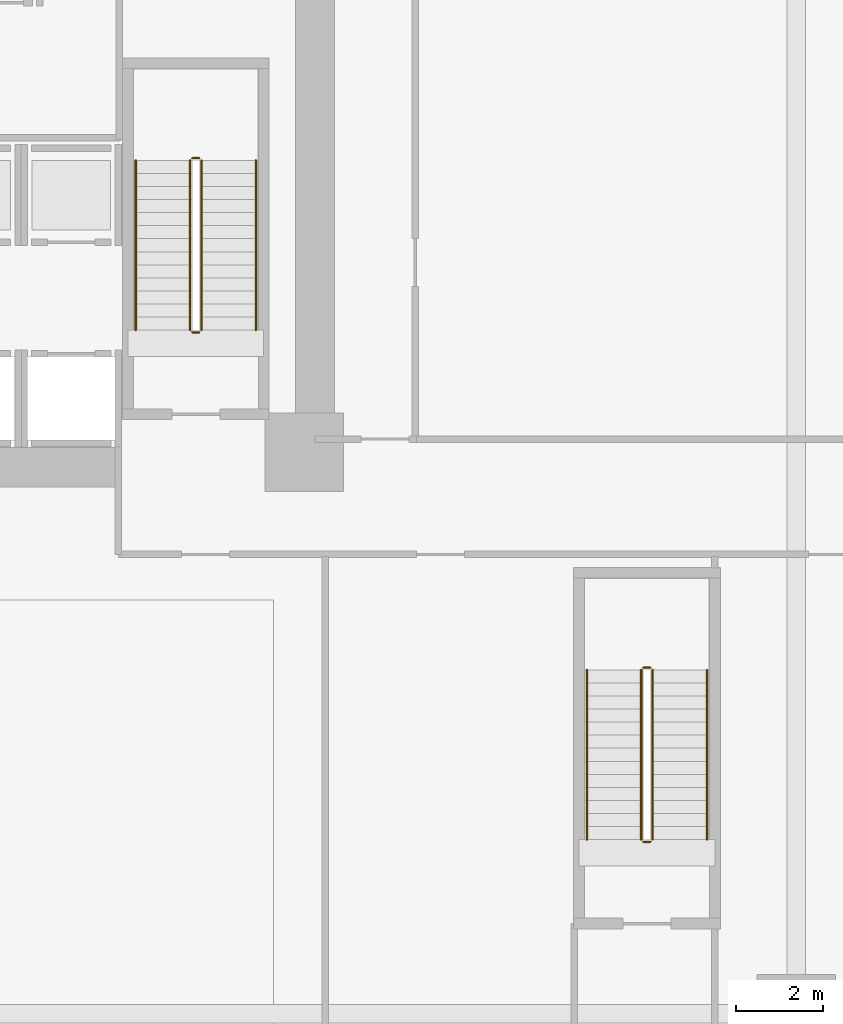
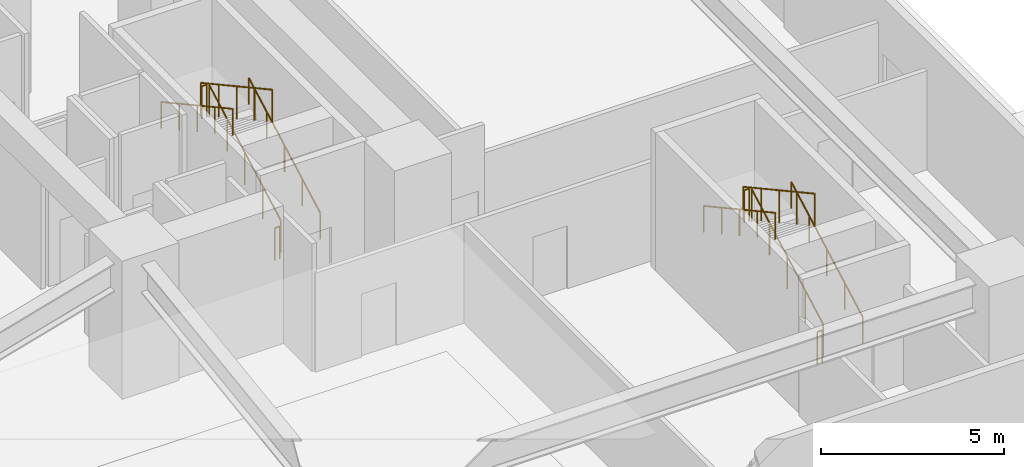
# One storey, part 17 of 18: 12 railings.
"""IFC4 building model written with IfcOpenShell, lengths in metres."""

from ifc_helpers import new_model, si_unit, direction, frame, origin, origin_2d, place, context, subcontext, project, spatial, circle, extrude, material, type_object, element, save


model = new_model("IFC4")

# Units and contexts
model_context = context("Model", 3, precision=1e-05, world=origin(), true_north=direction((0.0, 1.0)))
body_context = subcontext(model_context, "Body", "Model", "MODEL_VIEW")
ifc_project = project(units=[si_unit("LENGTHUNIT", "METRE"), si_unit("AREAUNIT", "SQUARE_METRE"), si_unit("VOLUMEUNIT", "CUBIC_METRE"), si_unit("PLANEANGLEUNIT", "RADIAN"), si_unit("MASSUNIT", "GRAM", prefix="KILO")], contexts=[model_context])

# Site, building, storey
site_placement = place(None, origin())
site = spatial("IfcSite", under=ifc_project, at=site_placement, CompositionType="ELEMENT")
building_placement = place(site_placement, origin())
building = spatial("IfcBuilding", under=site, at=building_placement, Name="Solvane Sanctuary Tower", CompositionType="ELEMENT")
storey_placement = place(building_placement, origin())
storey = spatial("IfcBuildingStorey", under=building, at=storey_placement, Name="L01", CompositionType="ELEMENT", Elevation=0.0)

# Railings
ifc_material = material(Name="Architectural Stainless Steel 316", Category="steel")
railing_type_1 = type_object("IfcRailingType", Name="Railing GR-BALC-1150", PredefinedType="BALUSTRADE", material=ifc_material)
railing_1_placement = place(storey_placement, frame((46.340087890625, 19.699951171875, 0.164306640625)))
element("IfcRailing", 1, at=railing_1_placement, inside=storey, type_object=railing_type_1, Name="L01 ST-2 stair guard 1", PredefinedType="BALUSTRADE", context=body_context, shape_type="SweptSolid", body=[
    extrude(circle(Radius=0.02392578125, at=origin_2d()), frame((0.0, 0.0, 1.076171875), z_axis=(0.0, 0.877101224295, 0.480305571839), x_axis=(-1.0, 0.0, 0.0)), (0.0, 0.0, 1.0), 4.446533203125),
    extrude(circle(Radius=0.02099609375, at=origin_2d()), origin(), (0.0, 0.0, 1.0), 1.052001953125),
    extrude(circle(Radius=0.02099609375, at=origin_2d()), frame((0.0, 0.97509765625, 0.533935546875)), (0.0, 0.0, 1.0), 1.052001953125),
    extrude(circle(Radius=0.02099609375, at=origin_2d()), frame((0.0, 1.9501953125, 1.06787109375)), (0.0, 0.0, 1.0), 1.052001953125),
    extrude(circle(Radius=0.02099609375, at=origin_2d()), frame((0.0, 2.925048828125, 1.601806640625)), (0.0, 0.0, 1.0), 1.052001953125),
    extrude(circle(Radius=0.02099609375, at=origin_2d()), frame((0.0, 3.900146484375, 2.1357421875)), (0.0, 0.0, 1.0), 1.052001953125),
])
railing_2_placement = place(storey_placement, frame((46.2900390625, 23.64990234375, 2.300048828125)))
element("IfcRailing", 2, at=railing_2_placement, inside=storey, type_object=railing_type_1, Name="L01 ST-2 stair guard 2", PredefinedType="BALUSTRADE", context=body_context, shape_type="SweptSolid", body=[
    extrude(circle(Radius=0.02392578125, at=origin_2d()), frame((0.0, 0.0, 1.076171875), z_axis=(-1.0, 0.0, 0.0), x_axis=(0.0, -1.0, 0.0)), (0.0, 0.0, 1.0), 0.16015625),
    extrude(circle(Radius=0.02099609375, at=origin_2d()), origin(), (0.0, 0.0, 1.0), 1.052001953125),
    extrude(circle(Radius=0.02099609375, at=origin_2d()), frame((-0.16015625, 0.0, 0.0)), (0.0, 0.0, 1.0), 1.052001953125),
])
railing_3_placement = place(storey_placement, frame((46.080078125, 23.60009765625, 2.46435546875)))
element("IfcRailing", 3, at=railing_3_placement, inside=storey, type_object=railing_type_1, Name="L01 ST-2 stair guard 3", PredefinedType="BALUSTRADE", context=body_context, shape_type="SweptSolid", body=[
    extrude(circle(Radius=0.02392578125, at=origin_2d()), frame((0.0, 0.0, 1.076171875), z_axis=(0.0, -0.877101224295, 0.480305571839), x_axis=(1.0, 0.0, 0.0)), (0.0, 0.0, 1.0), 4.446533203125),
    extrude(circle(Radius=0.02099609375, at=origin_2d()), origin(), (0.0, 0.0, 1.0), 1.052001953125),
    extrude(circle(Radius=0.02099609375, at=origin_2d()), frame((0.0, -0.97509765625, 0.533935546875)), (0.0, 0.0, 1.0), 1.052001953125),
    extrude(circle(Radius=0.02099609375, at=origin_2d()), frame((0.0, -1.9501953125, 1.06787109375)), (0.0, 0.0, 1.0), 1.052001953125),
    extrude(circle(Radius=0.02099609375, at=origin_2d()), frame((0.0, -2.925048828125, 1.601806640625)), (0.0, 0.0, 1.0), 1.052001953125),
    extrude(circle(Radius=0.02099609375, at=origin_2d()), frame((0.0, -3.900146484375, 2.1357421875)), (0.0, 0.0, 1.0), 1.052001953125),
])
railing_4_placement = place(storey_placement, frame((46.2900390625, 19.64990234375, 0.0)))
element("IfcRailing", 4, at=railing_4_placement, inside=storey, type_object=railing_type_1, Name="L01 ST-2 stair guard 4", PredefinedType="BALUSTRADE", context=body_context, shape_type="SweptSolid", body=[
    extrude(circle(Radius=0.02392578125, at=origin_2d()), frame((0.0, 0.0, 1.076171875), z_axis=(-1.0, 0.0, 0.0), x_axis=(0.0, -1.0, 0.0)), (0.0, 0.0, 1.0), 0.16015625),
    extrude(circle(Radius=0.02099609375, at=origin_2d()), origin(), (0.0, 0.0, 1.0), 1.052001953125),
    extrude(circle(Radius=0.02099609375, at=origin_2d()), frame((-0.16015625, 0.0, 0.0)), (0.0, 0.0, 1.0), 1.052001953125),
])
railing_5_placement = place(storey_placement, frame((56.699951171875, 8.0, 0.164306640625)))
element("IfcRailing", 5, at=railing_5_placement, inside=storey, type_object=railing_type_1, Name="L01 ST-5 stair guard 1", PredefinedType="BALUSTRADE", context=body_context, shape_type="SweptSolid", body=[
    extrude(circle(Radius=0.02392578125, at=origin_2d()), frame((0.0, 0.0, 1.076171875), z_axis=(0.0, 0.877088557246, 0.480328702816), x_axis=(-1.0, 0.0, 0.0)), (0.0, 0.0, 1.0), 4.446533203125),
    extrude(circle(Radius=0.02099609375, at=origin_2d()), origin(), (0.0, 0.0, 1.0), 1.052001953125),
    extrude(circle(Radius=0.02099609375, at=origin_2d()), frame((0.0, 0.97509765625, 0.533935546875)), (0.0, 0.0, 1.0), 1.052001953125),
    extrude(circle(Radius=0.02099609375, at=origin_2d()), frame((0.0, 1.949951171875, 1.06787109375)), (0.0, 0.0, 1.0), 1.052001953125),
    extrude(circle(Radius=0.02099609375, at=origin_2d()), frame((0.0, 2.9248046875, 1.601806640625)), (0.0, 0.0, 1.0), 1.052001953125),
    extrude(circle(Radius=0.02099609375, at=origin_2d()), frame((0.0, 3.89990234375, 2.1357421875)), (0.0, 0.0, 1.0), 1.052001953125),
])
railing_6_placement = place(storey_placement, frame((56.64990234375, 11.949951171875, 2.300048828125)))
element("IfcRailing", 6, at=railing_6_placement, inside=storey, type_object=railing_type_1, Name="L01 ST-5 stair guard 2", PredefinedType="BALUSTRADE", context=body_context, shape_type="SweptSolid", body=[
    extrude(circle(Radius=0.02392578125, at=origin_2d()), frame((0.0, 0.0, 1.076171875), z_axis=(-1.0, 0.0, 0.0), x_axis=(0.0, -1.0, 0.0)), (0.0, 0.0, 1.0), 0.159912109375),
    extrude(circle(Radius=0.02099609375, at=origin_2d()), origin(), (0.0, 0.0, 1.0), 1.052001953125),
    extrude(circle(Radius=0.02099609375, at=origin_2d()), frame((-0.159912109375, 0.0, 0.0)), (0.0, 0.0, 1.0), 1.052001953125),
])
railing_7_placement = place(storey_placement, frame((56.43994140625, 11.89990234375, 2.46435546875)))
element("IfcRailing", 7, at=railing_7_placement, inside=storey, type_object=railing_type_1, Name="L01 ST-5 stair guard 3", PredefinedType="BALUSTRADE", context=body_context, shape_type="SweptSolid", body=[
    extrude(circle(Radius=0.02392578125, at=origin_2d()), frame((0.0, 0.0, 1.076171875), z_axis=(0.0, -0.877088557246, 0.480328702816), x_axis=(1.0, 0.0, 0.0)), (0.0, 0.0, 1.0), 4.446533203125),
    extrude(circle(Radius=0.02099609375, at=origin_2d()), origin(), (0.0, 0.0, 1.0), 1.052001953125),
    extrude(circle(Radius=0.02099609375, at=origin_2d()), frame((0.0, -0.97509765625, 0.533935546875)), (0.0, 0.0, 1.0), 1.052001953125),
    extrude(circle(Radius=0.02099609375, at=origin_2d()), frame((0.0, -1.949951171875, 1.06787109375)), (0.0, 0.0, 1.0), 1.052001953125),
    extrude(circle(Radius=0.02099609375, at=origin_2d()), frame((0.0, -2.9248046875, 1.601806640625)), (0.0, 0.0, 1.0), 1.052001953125),
    extrude(circle(Radius=0.02099609375, at=origin_2d()), frame((0.0, -3.89990234375, 2.1357421875)), (0.0, 0.0, 1.0), 1.052001953125),
])
railing_8_placement = place(storey_placement, frame((56.64990234375, 7.949951171875, 0.0)))
element("IfcRailing", 8, at=railing_8_placement, inside=storey, type_object=railing_type_1, Name="L01 ST-5 stair guard 4", PredefinedType="BALUSTRADE", context=body_context, shape_type="SweptSolid", body=[
    extrude(circle(Radius=0.02392578125, at=origin_2d()), frame((0.0, 0.0, 1.076171875), z_axis=(-1.0, 0.0, 0.0), x_axis=(0.0, -1.0, 0.0)), (0.0, 0.0, 1.0), 0.159912109375),
    extrude(circle(Radius=0.02099609375, at=origin_2d()), origin(), (0.0, 0.0, 1.0), 1.052001953125),
    extrude(circle(Radius=0.02099609375, at=origin_2d()), frame((-0.159912109375, 0.0, 0.0)), (0.0, 0.0, 1.0), 1.052001953125),
])
railing_type_2 = type_object("IfcRailingType", Name="Railing HR-STAIR-920", PredefinedType="HANDRAIL", material=ifc_material)
railing_9_placement = place(storey_placement, frame((47.590087890625, 19.699951171875, 0.164306640625)))
element("IfcRailing", 9, at=railing_9_placement, inside=storey, type_object=railing_type_2, Name="L01 ST-2 stair handrail 1", PredefinedType="HANDRAIL", context=body_context, shape_type="SweptSolid", body=[
    extrude(circle(Radius=0.02392578125, at=origin_2d()), frame((0.0, 0.0, 0.8759765625), z_axis=(0.0, 0.877101224295, 0.480305571839), x_axis=(-1.0, 0.0, 0.0)), (0.0, 0.0, 1.0), 4.446533203125),
    extrude(circle(Radius=0.02099609375, at=origin_2d()), origin(), (0.0, 0.0, 1.0), 0.851806640625),
    extrude(circle(Radius=0.02099609375, at=origin_2d()), frame((0.0, 0.97509765625, 0.533935546875)), (0.0, 0.0, 1.0), 0.851806640625),
    extrude(circle(Radius=0.02099609375, at=origin_2d()), frame((0.0, 1.9501953125, 1.06787109375)), (0.0, 0.0, 1.0), 0.851806640625),
    extrude(circle(Radius=0.02099609375, at=origin_2d()), frame((0.0, 2.925048828125, 1.601806640625)), (0.0, 0.0, 1.0), 0.851806640625),
    extrude(circle(Radius=0.02099609375, at=origin_2d()), frame((0.0, 3.900146484375, 2.1357421875)), (0.0, 0.0, 1.0), 0.851806640625),
])
railing_10_placement = place(storey_placement, frame((44.830078125, 23.60009765625, 2.46435546875)))
element("IfcRailing", 10, at=railing_10_placement, inside=storey, type_object=railing_type_2, Name="L01 ST-2 stair handrail 2", PredefinedType="HANDRAIL", context=body_context, shape_type="SweptSolid", body=[
    extrude(circle(Radius=0.02392578125, at=origin_2d()), frame((0.0, 0.0, 0.8759765625), z_axis=(0.0, -0.877101224295, 0.480305571839), x_axis=(1.0, 0.0, 0.0)), (0.0, 0.0, 1.0), 4.446533203125),
    extrude(circle(Radius=0.02099609375, at=origin_2d()), origin(), (0.0, 0.0, 1.0), 0.851806640625),
    extrude(circle(Radius=0.02099609375, at=origin_2d()), frame((0.0, -0.97509765625, 0.533935546875)), (0.0, 0.0, 1.0), 0.851806640625),
    extrude(circle(Radius=0.02099609375, at=origin_2d()), frame((0.0, -1.9501953125, 1.06787109375)), (0.0, 0.0, 1.0), 0.851806640625),
    extrude(circle(Radius=0.02099609375, at=origin_2d()), frame((0.0, -2.925048828125, 1.601806640625)), (0.0, 0.0, 1.0), 0.851806640625),
    extrude(circle(Radius=0.02099609375, at=origin_2d()), frame((0.0, -3.900146484375, 2.1357421875)), (0.0, 0.0, 1.0), 0.851806640625),
])
railing_11_placement = place(storey_placement, frame((57.949951171875, 8.0, 0.164306640625)))
element("IfcRailing", 11, at=railing_11_placement, inside=storey, type_object=railing_type_2, Name="L01 ST-5 stair handrail 1", PredefinedType="HANDRAIL", context=body_context, shape_type="SweptSolid", body=[
    extrude(circle(Radius=0.02392578125, at=origin_2d()), frame((0.0, 0.0, 0.8759765625), z_axis=(0.0, 0.877088557246, 0.480328702816), x_axis=(-1.0, 0.0, 0.0)), (0.0, 0.0, 1.0), 4.446533203125),
    extrude(circle(Radius=0.02099609375, at=origin_2d()), origin(), (0.0, 0.0, 1.0), 0.851806640625),
    extrude(circle(Radius=0.02099609375, at=origin_2d()), frame((0.0, 0.97509765625, 0.533935546875)), (0.0, 0.0, 1.0), 0.851806640625),
    extrude(circle(Radius=0.02099609375, at=origin_2d()), frame((0.0, 1.949951171875, 1.06787109375)), (0.0, 0.0, 1.0), 0.851806640625),
    extrude(circle(Radius=0.02099609375, at=origin_2d()), frame((0.0, 2.9248046875, 1.601806640625)), (0.0, 0.0, 1.0), 0.851806640625),
    extrude(circle(Radius=0.02099609375, at=origin_2d()), frame((0.0, 3.89990234375, 2.1357421875)), (0.0, 0.0, 1.0), 0.851806640625),
])
railing_12_placement = place(storey_placement, frame((55.18994140625, 11.89990234375, 2.46435546875)))
element("IfcRailing", 12, at=railing_12_placement, inside=storey, type_object=railing_type_2, Name="L01 ST-5 stair handrail 2", PredefinedType="HANDRAIL", context=body_context, shape_type="SweptSolid", body=[
    extrude(circle(Radius=0.02392578125, at=origin_2d()), frame((0.0, 0.0, 0.8759765625), z_axis=(0.0, -0.877088557246, 0.480328702816), x_axis=(1.0, 0.0, 0.0)), (0.0, 0.0, 1.0), 4.446533203125),
    extrude(circle(Radius=0.02099609375, at=origin_2d()), origin(), (0.0, 0.0, 1.0), 0.851806640625),
    extrude(circle(Radius=0.02099609375, at=origin_2d()), frame((0.0, -0.97509765625, 0.533935546875)), (0.0, 0.0, 1.0), 0.851806640625),
    extrude(circle(Radius=0.02099609375, at=origin_2d()), frame((0.0, -1.949951171875, 1.06787109375)), (0.0, 0.0, 1.0), 0.851806640625),
    extrude(circle(Radius=0.02099609375, at=origin_2d()), frame((0.0, -2.9248046875, 1.601806640625)), (0.0, 0.0, 1.0), 0.851806640625),
    extrude(circle(Radius=0.02099609375, at=origin_2d()), frame((0.0, -3.89990234375, 2.1357421875)), (0.0, 0.0, 1.0), 0.851806640625),
])

save(model, "model.ifc")
